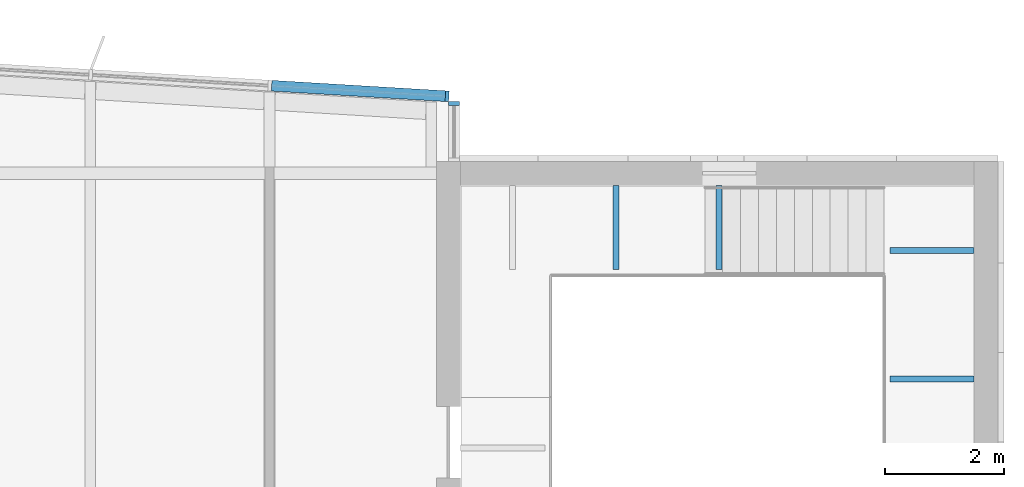
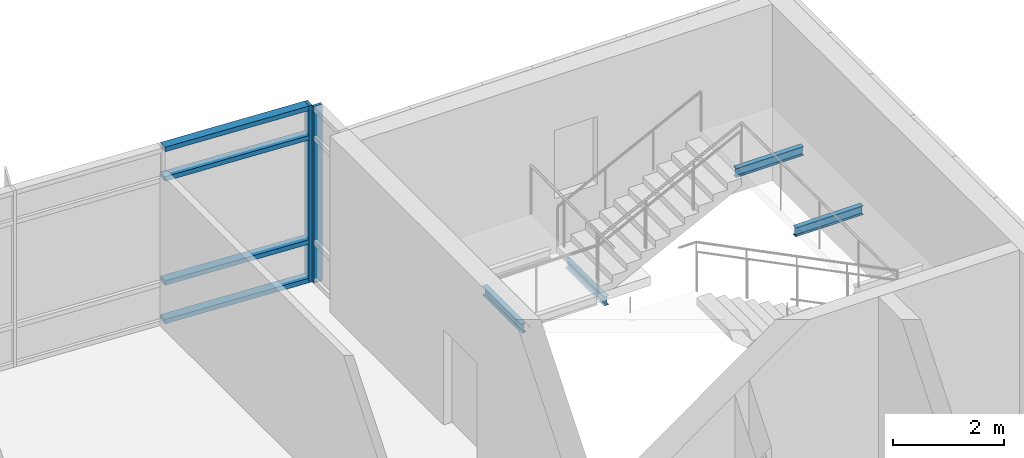
# One storey, part 8 of 21: 6 members, 4 beams, 2 elements without a shape of their own.
"""IFC4 building model written with IfcOpenShell, lengths in metres."""

from ifc_helpers import new_model, si_unit, direction, frame, origin, origin_2d, place, context, subcontext, project, spatial, rectangle, i_section, extrude, material, material_profile, profile_set, type_object, element, aggregate, save


model = new_model("IFC4")

# Units and contexts
model_context = context("Model", 3, precision=1e-05, world=origin(), true_north=direction((0.0, 1.0)))
body_context = subcontext(model_context, "Body", "Model", "MODEL_VIEW")
ifc_project = project(units=[si_unit("LENGTHUNIT", "METRE"), si_unit("AREAUNIT", "SQUARE_METRE"), si_unit("VOLUMEUNIT", "CUBIC_METRE"), si_unit("PLANEANGLEUNIT", "RADIAN"), si_unit("MASSUNIT", "GRAM", prefix="KILO")], contexts=[model_context])

# Site, building, storey
site_placement = place(None, origin())
site = spatial("IfcSite", under=ifc_project, at=site_placement, CompositionType="ELEMENT")
building_placement = place(site_placement, origin())
building = spatial("IfcBuilding", under=site, at=building_placement, Name="Azimuth Sports and Learning Centre", CompositionType="ELEMENT")
storey_placement = place(building_placement, frame((0.0, 0.0, 48.0)))
storey = spatial("IfcBuildingStorey", under=building, at=storey_placement, Name="L10", CompositionType="ELEMENT", Elevation=48.0)

# Beams
ifc_material_1 = material(Name="Steel S355", Category="steel")
ifc_material_profile_1 = material_profile(ifc_material_1, i_section(OverallWidth=0.10009765625, OverallDepth=0.199951171875, WebThickness=0.005615234375, FlangeThickness=0.008544921875, FilletRadius=0.011962890625, at=origin_2d()), Name="IPE 200")
ifc_profile_set_1 = profile_set([ifc_material_profile_1], Name="Steel S355")
beam_type = type_object("IfcBeamType", Name="Beam IPE 200", PredefinedType="BEAM", material=ifc_profile_set_1)
for number, where, z_axis, x_axis, name in (
    (1, (110.800048828125, 116.800048828125, -0.300048828125), (0.0, -1.0, 0.0), (1.0, 0.0, 0.0), "Landing bracket E2 L10 634"),
    (2, (112.526611328125, 116.800048828125, -0.300048828125), (0.0, -1.0, 0.0), (1.0, 0.0, 0.0), "Landing bracket E2 L10 635"),
    (3, (116.800048828125, 113.5537109375, 1.35009765625), (-1.0, 0.0, 0.0), (0.0, -1.0, 0.0), "Landing bracket E2 L10 638"),
    (4, (116.800048828125, 115.711181640625, 1.35009765625), (-1.0, 0.0, 0.0), (0.0, -1.0, 0.0), "Landing bracket E2 L10 639"),
):
    element("IfcBeam", number, at=place(storey_placement, frame(where, z_axis=z_axis, x_axis=x_axis)), inside=storey, type_object=beam_type, Name=name, PredefinedType="BEAM", context=body_context, shape_type="SweptSolid", body=[
        extrude(i_section(OverallWidth=0.10009765625, OverallDepth=0.199951171875, WebThickness=0.005615234375, FlangeThickness=0.008544921875, FilletRadius=0.011962890625, at=origin_2d()), origin(), (0.0, 0.0, 1.0), 1.41015625),
    ])

# Curtain wall, member
ifc_material_2 = material(Name="Aluminium and glass", Category="aluminium")
curtain_wall_type_1 = type_object("IfcCurtainWallType", Name="Curtain wall tower return 180", PredefinedType="NOTDEFINED", material=ifc_material_2)
curtain_wall_1_placement = place(storey_placement, origin())
curtain_wall_1 = element("IfcCurtainWall", 5, at=curtain_wall_1_placement, inside=storey, type_object=curtain_wall_type_1, Name="Curtain wall CW10-006", PredefinedType="NOTDEFINED")
ifc_material_3 = material(Name="Aluminium", Category="aluminium")
ifc_material_profile_2 = material_profile(ifc_material_3, rectangle(XDim=0.179931640625, YDim=0.06005859375, at=origin_2d()), Name="Mullion 60x180")
ifc_profile_set_2 = profile_set([ifc_material_profile_2], Name="Aluminium")
member_type_1 = type_object("IfcMemberType", Name="Mullion 60x180", PredefinedType="MULLION", material=ifc_profile_set_2)
member_1_placement = place(storey_placement, frame((108.090087890625, 118.169921875, 0.0), z_axis=(0.0, 0.0, 1.0), x_axis=(-1.0, 0.0, 0.0)))
member_1 = element("IfcMember", 6, at=member_1_placement, type_object=member_type_1, Name="CW10-006 mullion 2", PredefinedType="MULLION", context=body_context, shape_type="SweptSolid", body=[
    extrude(rectangle(XDim=0.179931640625, YDim=0.06005859375, at=origin_2d()), origin(), (0.0, 0.0, 1.0), 3.89990234375),
])
aggregate(curtain_wall_1, [member_1])

# Curtain wall, members
ifc_material_4 = material(Name="Aluminium and glass", Category="aluminium")
curtain_wall_type_2 = type_object("IfcCurtainWallType", Name="Curtain wall tower north 180", PredefinedType="NOTDEFINED", material=ifc_material_4)
curtain_wall_2_placement = place(storey_placement, origin())
curtain_wall_2 = element("IfcCurtainWall", 7, at=curtain_wall_2_placement, inside=storey, type_object=curtain_wall_type_2, Name="Curtain wall CW10-007", PredefinedType="NOTDEFINED")
member_2_placement = place(storey_placement, frame((107.975341796875, 118.291748046875, 0.0), z_axis=(0.0, 0.0, 1.0), x_axis=(-0.059891991812, -0.998204863401, 0.0)))
member_2 = element("IfcMember", 8, at=member_2_placement, type_object=member_type_1, Name="CW10-007 mullion 1", PredefinedType="MULLION", context=body_context, shape_type="SweptSolid", body=[
    extrude(rectangle(XDim=0.179931640625, YDim=0.06005859375, at=origin_2d()), origin(), (0.0, 0.0, 1.0), 3.89990234375),
])
ifc_material_5 = material(Name="Aluminium", Category="aluminium")
ifc_material_profile_3 = material_profile(ifc_material_5, rectangle(XDim=0.179931640625, YDim=0.10009765625, at=origin_2d()), Name="Transom 100x180")
ifc_profile_set_3 = profile_set([ifc_material_profile_3], Name="Aluminium")
member_type_2 = type_object("IfcMemberType", Name="Transom 100x180", PredefinedType="USERDEFINED", material=ifc_profile_set_3)
member_3_placement = place(storey_placement, frame((107.945556640625, 118.29345703125, 0.050048828125), z_axis=(-0.998205846627, 0.059875602377, 0.0), x_axis=(-0.059875602377, -0.998205846627, 0.0)))
member_3 = element("IfcMember", 9, at=member_3_placement, type_object=member_type_2, Name="CW10-007 transom 1.1", ObjectType="TRANSOM", PredefinedType="USERDEFINED", context=body_context, shape_type="SweptSolid", body=[
    extrude(rectangle(XDim=0.179931640625, YDim=0.10009765625, at=origin_2d()), origin(), (0.0, 0.0, 1.0), 2.915283203125),
])
member_4_placement = place(storey_placement, frame((107.945556640625, 118.29345703125, 0.89990234375), z_axis=(-0.998205846627, 0.059875602377, 0.0), x_axis=(-0.059875602377, -0.998205846627, 0.0)))
member_4 = element("IfcMember", 10, at=member_4_placement, type_object=member_type_2, Name="CW10-007 transom 1.2", ObjectType="TRANSOM", PredefinedType="USERDEFINED", context=body_context, shape_type="SweptSolid", body=[
    extrude(rectangle(XDim=0.179931640625, YDim=0.10009765625, at=origin_2d()), origin(), (0.0, 0.0, 1.0), 2.915283203125),
])
member_5_placement = place(storey_placement, frame((107.945556640625, 118.29345703125, 3.199951171875), z_axis=(-0.998205846627, 0.059875602377, 0.0), x_axis=(-0.059875602377, -0.998205846627, 0.0)))
member_5 = element("IfcMember", 11, at=member_5_placement, type_object=member_type_2, Name="CW10-007 transom 1.3", ObjectType="TRANSOM", PredefinedType="USERDEFINED", context=body_context, shape_type="SweptSolid", body=[
    extrude(rectangle(XDim=0.179931640625, YDim=0.10009765625, at=origin_2d()), origin(), (0.0, 0.0, 1.0), 2.915283203125),
])
member_6_placement = place(storey_placement, frame((107.945556640625, 118.29345703125, 3.85009765625), z_axis=(-0.998205846627, 0.059875602377, 0.0), x_axis=(-0.059875602377, -0.998205846627, 0.0)))
member_6 = element("IfcMember", 12, at=member_6_placement, type_object=member_type_2, Name="CW10-007 transom 1.4", ObjectType="TRANSOM", PredefinedType="USERDEFINED", context=body_context, shape_type="SweptSolid", body=[
    extrude(rectangle(XDim=0.179931640625, YDim=0.10009765625, at=origin_2d()), origin(), (0.0, 0.0, 1.0), 2.915283203125),
])
aggregate(curtain_wall_2, [member_2, member_3, member_4, member_5, member_6])

save(model, "model.ifc")
